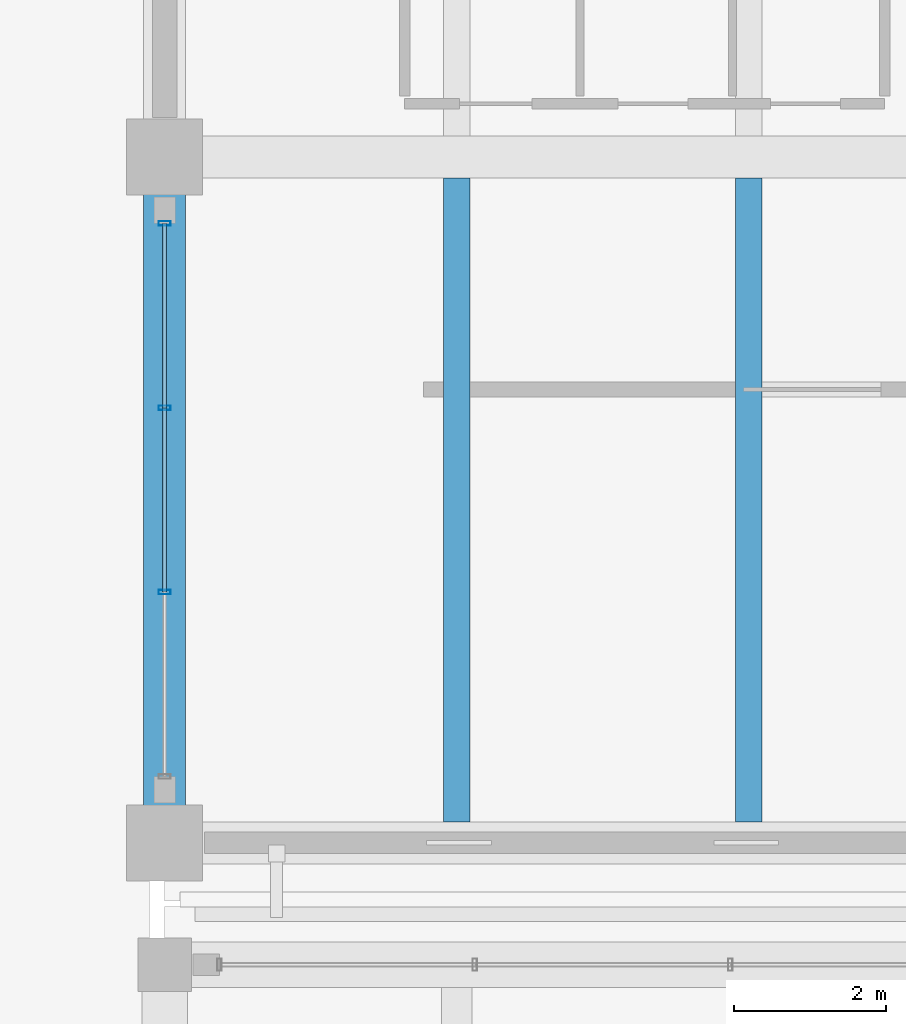
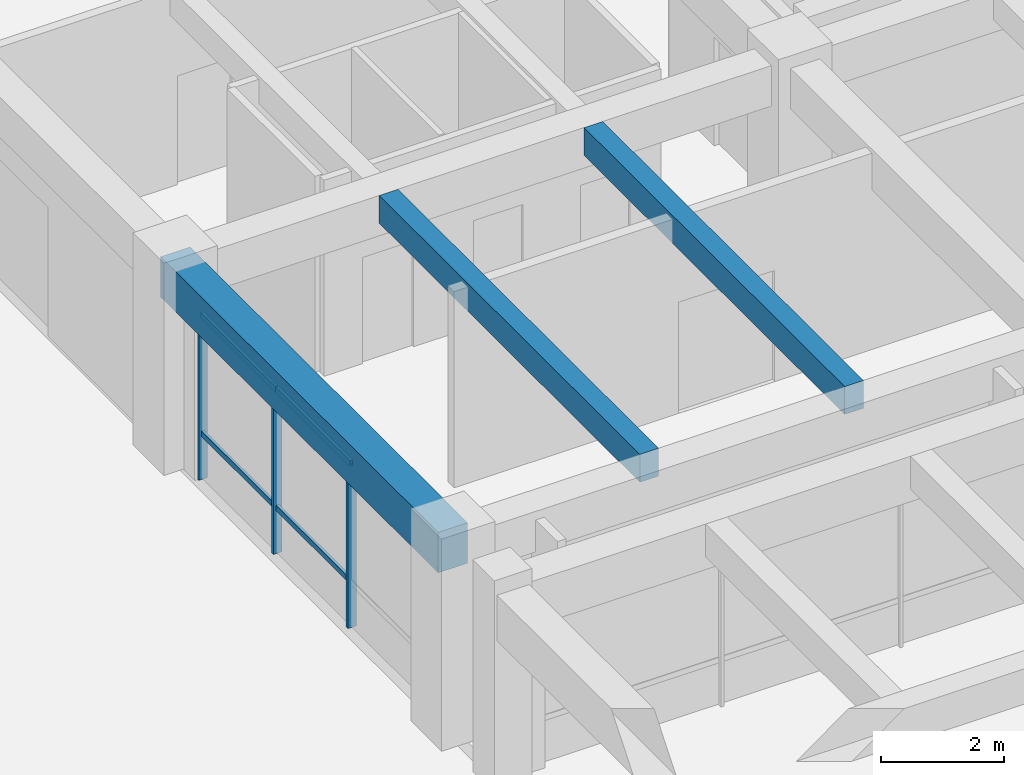
# One storey, part 48 of 109: 7 members, 3 beams, 1 element without a shape of its own.
"""IFC4 building model written with IfcOpenShell, lengths in metres."""

from ifc_helpers import new_model, si_unit, direction, frame, origin, origin_2d, place, context, subcontext, project, spatial, rectangle, hollow_rectangle, extrude, material, material_profile, profile_set, type_object, element, aggregate, save


model = new_model("IFC4")

# Units and contexts
model_context = context("Model", 3, precision=1e-05, world=origin(), true_north=direction((0.0, 1.0)))
body_context = subcontext(model_context, "Body", "Model", "MODEL_VIEW")
ifc_project = project(units=[si_unit("LENGTHUNIT", "METRE"), si_unit("AREAUNIT", "SQUARE_METRE"), si_unit("VOLUMEUNIT", "CUBIC_METRE"), si_unit("PLANEANGLEUNIT", "RADIAN"), si_unit("MASSUNIT", "GRAM", prefix="KILO")], contexts=[model_context])

# Site, building, storey
site_placement = place(None, origin())
site = spatial("IfcSite", under=ifc_project, at=site_placement, CompositionType="ELEMENT")
building_placement = place(site_placement, origin())
building = spatial("IfcBuilding", under=site, at=building_placement, Name="Ologun Quay Terminus", CompositionType="ELEMENT")
storey_placement = place(building_placement, origin())
storey = spatial("IfcBuildingStorey", under=building, at=storey_placement, Name="L00", CompositionType="ELEMENT", Elevation=0.0)

# Curtain wall, members
ifc_material_1 = material(Name="Aluminium 6063-T6", Category="aluminium")
curtain_wall_type = type_object("IfcCurtainWallType", Name="Rain-Garden East Courtyard Curtain Wall L00 9200x3750", PredefinedType="USERDEFINED", material=ifc_material_1)
curtain_wall_placement = place(storey_placement, origin())
curtain_wall = element("IfcCurtainWall", 1, at=curtain_wall_placement, inside=storey, type_object=curtain_wall_type, Name="CW-17 Curtain Wall CW-L00-122", ObjectType="UNITISED CURTAIN WALL", PredefinedType="USERDEFINED")
ifc_material_2 = material(Name="Aluminium 6063-T6", Category="aluminium")
ifc_material_profile_1 = material_profile(ifc_material_2, hollow_rectangle(XDim=0.06005859375, YDim=0.159912109375, WallThickness=0.00390625, at=origin_2d()), Name="ALU 160x60x4")
ifc_profile_set_1 = profile_set([ifc_material_profile_1], Name="Aluminium 6063-T6")
member_type_1 = type_object("IfcMemberType", Name="Courtyard Screen Mullion 160x65", PredefinedType="MULLION", material=ifc_profile_set_1)
member_1_placement = place(storey_placement, frame((115.0, 89.090087890625, 0.0), z_axis=(0.0, 0.0, 1.0), x_axis=(0.0, 1.0, 0.0)))
member_1 = element("IfcMember", 2, at=member_1_placement, type_object=member_type_1, Name="CW-L00-122 Mullion 2", PredefinedType="MULLION", context=body_context, shape_type="SweptSolid", body=[
    extrude(hollow_rectangle(XDim=0.06005859375, YDim=0.159912109375, WallThickness=0.00390625, at=origin_2d()), origin(), (0.0, 0.0, 1.0), 3.929931640625),
])
member_2_placement = place(storey_placement, frame((115.0, 91.510009765625, 0.0), z_axis=(0.0, 0.0, 1.0), x_axis=(0.0, 1.0, 0.0)))
member_2 = element("IfcMember", 3, at=member_2_placement, type_object=member_type_1, Name="CW-L00-122 Mullion 3", PredefinedType="MULLION", context=body_context, shape_type="SweptSolid", body=[
    extrude(hollow_rectangle(XDim=0.06005859375, YDim=0.159912109375, WallThickness=0.00390625, at=origin_2d()), origin(), (0.0, 0.0, 1.0), 3.929931640625),
])
member_3_placement = place(storey_placement, frame((115.0, 93.929931640625, 0.0), z_axis=(0.0, 0.0, 1.0), x_axis=(0.0, 1.0, 0.0)))
member_3 = element("IfcMember", 4, at=member_3_placement, type_object=member_type_1, Name="CW-L00-122 Mullion 4", PredefinedType="MULLION", context=body_context, shape_type="SweptSolid", body=[
    extrude(hollow_rectangle(XDim=0.06005859375, YDim=0.159912109375, WallThickness=0.00390625, at=origin_2d()), origin(), (0.0, 0.0, 1.0), 3.929931640625),
])
ifc_material_3 = material(Name="Aluminium 6063-T6", Category="aluminium")
ifc_material_profile_2 = material_profile(ifc_material_3, hollow_rectangle(XDim=0.054931640625, YDim=0.110107421875, WallThickness=0.00390625, at=origin_2d()), Name="ALU 110x55x4")
ifc_profile_set_2 = profile_set([ifc_material_profile_2], Name="Aluminium 6063-T6")
member_type_2 = type_object("IfcMemberType", Name="Courtyard Screen Transom 110x55", PredefinedType="USERDEFINED", material=ifc_profile_set_2)
member_4_placement = place(storey_placement, frame((115.0, 89.090087890625, 0.89990234375), z_axis=(0.0, 1.0, 0.0), x_axis=(-1.0, 0.0, 0.0)))
member_4 = element("IfcMember", 5, at=member_4_placement, type_object=member_type_2, Name="CW-L00-122 Transom B2-1", ObjectType="TRANSOM", PredefinedType="USERDEFINED", context=body_context, shape_type="SweptSolid", body=[
    extrude(hollow_rectangle(XDim=0.054931640625, YDim=0.110107421875, WallThickness=0.00390625, at=origin_2d()), origin(), (0.0, 0.0, 1.0), 2.419921875),
])
member_5_placement = place(storey_placement, frame((115.0, 89.090087890625, 3.22998046875), z_axis=(0.0, 1.0, 0.0), x_axis=(-1.0, 0.0, 0.0)))
member_5 = element("IfcMember", 6, at=member_5_placement, type_object=member_type_2, Name="CW-L00-122 Transom B2-2", ObjectType="TRANSOM", PredefinedType="USERDEFINED", context=body_context, shape_type="SweptSolid", body=[
    extrude(hollow_rectangle(XDim=0.054931640625, YDim=0.110107421875, WallThickness=0.00390625, at=origin_2d()), origin(), (0.0, 0.0, 1.0), 2.419921875),
])
member_6_placement = place(storey_placement, frame((115.0, 91.510009765625, 0.89990234375), z_axis=(0.0, 1.0, 0.0), x_axis=(-1.0, 0.0, 0.0)))
member_6 = element("IfcMember", 7, at=member_6_placement, type_object=member_type_2, Name="CW-L00-122 Transom B3-1", ObjectType="TRANSOM", PredefinedType="USERDEFINED", context=body_context, shape_type="SweptSolid", body=[
    extrude(hollow_rectangle(XDim=0.054931640625, YDim=0.110107421875, WallThickness=0.00390625, at=origin_2d()), origin(), (0.0, 0.0, 1.0), 2.419921875),
])
member_7_placement = place(storey_placement, frame((115.0, 91.510009765625, 3.22998046875), z_axis=(0.0, 1.0, 0.0), x_axis=(-1.0, 0.0, 0.0)))
member_7 = element("IfcMember", 8, at=member_7_placement, type_object=member_type_2, Name="CW-L00-122 Transom B3-2", ObjectType="TRANSOM", PredefinedType="USERDEFINED", context=body_context, shape_type="SweptSolid", body=[
    extrude(hollow_rectangle(XDim=0.054931640625, YDim=0.110107421875, WallThickness=0.00390625, at=origin_2d()), origin(), (0.0, 0.0, 1.0), 2.419921875),
])
aggregate(curtain_wall, [member_1, member_2, member_3, member_4, member_5, member_6, member_7])

# Beams
ifc_material_4 = material(Name="Concrete C40/50", Category="concrete")
ifc_material_profile_3 = material_profile(ifc_material_4, rectangle(XDim=0.550048828125, YDim=0.800048828125, at=origin_2d()), Name="RC 550x800")
ifc_profile_set_3 = profile_set([ifc_material_profile_3], Name="Concrete C40/50")
beam_type_1 = type_object("IfcBeamType", Name="Courtyard Wing Primary Girder 550x800", PredefinedType="BEAM", material=ifc_profile_set_3)
beam_placement = place(storey_placement, frame((115.0, 85.800048828125, 3.550048828125), z_axis=(0.0, 1.0, 0.0), x_axis=(-1.0, 0.0, 0.0)))
element("IfcBeam", 9, at=beam_placement, inside=storey, type_object=beam_type_1, Name="B4 Beam 11/G2 L00", PredefinedType="BEAM", context=body_context, shape_type="SweptSolid", body=[
    extrude(rectangle(XDim=0.550048828125, YDim=0.800048828125, at=origin_2d()), origin(), (0.0, 0.0, 1.0), 9.0),
])
ifc_material_5 = material(Name="Concrete C40/50", Category="concrete")
ifc_material_profile_4 = material_profile(ifc_material_5, rectangle(XDim=0.35009765625, YDim=0.550048828125, at=origin_2d()), Name="RC 350x550")
ifc_profile_set_4 = profile_set([ifc_material_profile_4], Name="Concrete C40/50")
beam_type_2 = type_object("IfcBeamType", Name="Courtyard Wing Secondary Joist 350x550", PredefinedType="JOIST", material=ifc_profile_set_4)
for number, where, z_axis, x_axis, name in (
    (10, (118.833251953125, 86.074951171875, 3.675048828125), (0.0, 1.0, 0.0), (-1.0, 0.0, 0.0), "J2 Beam 11/G2 L00"),
    (11, (122.666748046875, 86.074951171875, 3.675048828125), (0.0, 1.0, 0.0), (-1.0, 0.0, 0.0), "J2 Beam 11/G2 L00"),
):
    element("IfcBeam", number, at=place(storey_placement, frame(where, z_axis=z_axis, x_axis=x_axis)), inside=storey, type_object=beam_type_2, Name=name, PredefinedType="JOIST", context=body_context, shape_type="SweptSolid", body=[
        extrude(rectangle(XDim=0.35009765625, YDim=0.550048828125, at=origin_2d()), origin(), (0.0, 0.0, 1.0), 8.449951171875),
    ])

save(model, "model.ifc")
